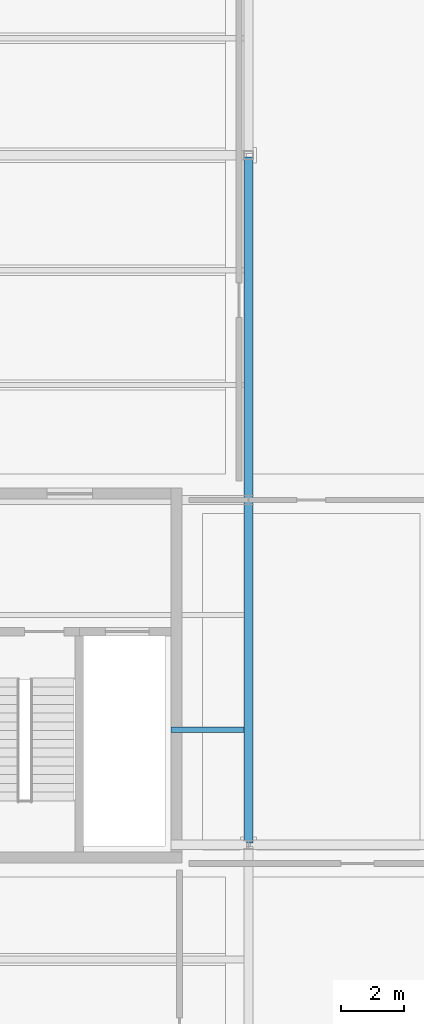
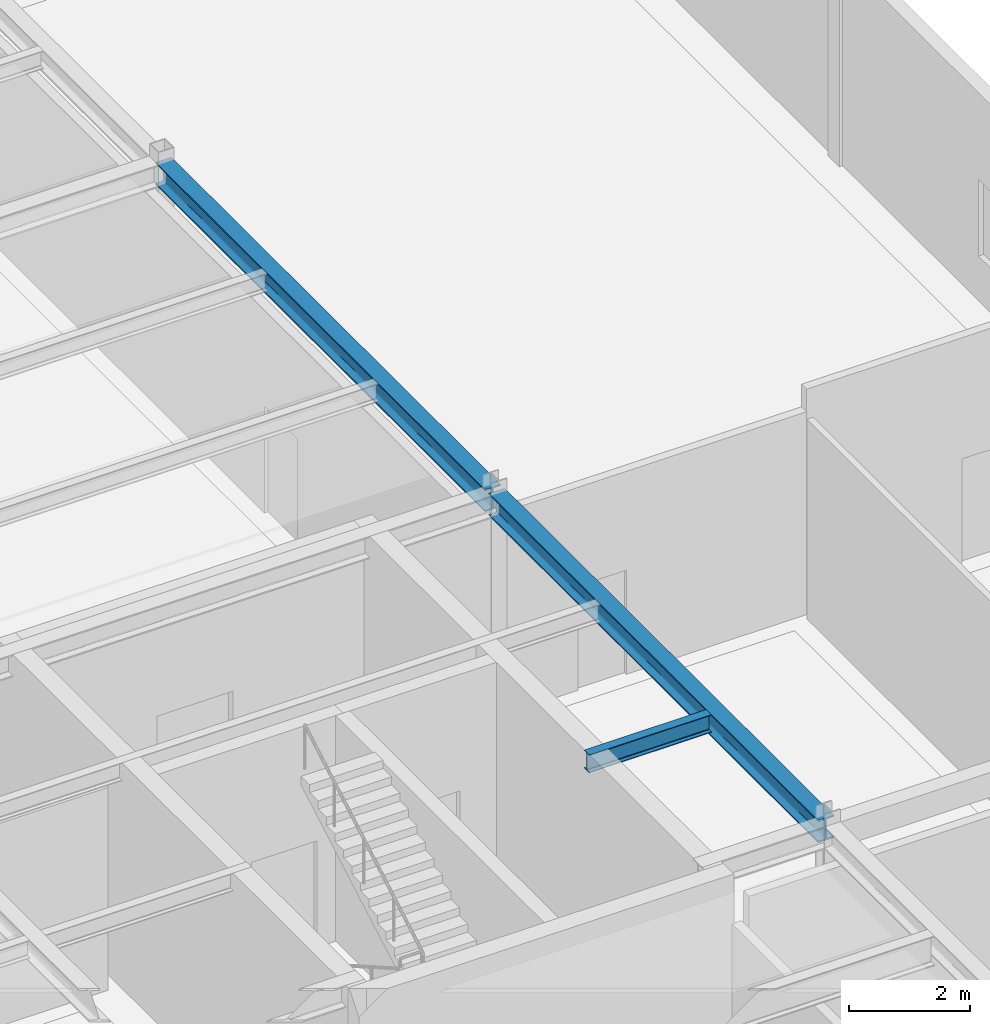
# One storey, part 56 of 108: 3 beams.
"""IFC4 building model written with IfcOpenShell, lengths in metres."""

from ifc_helpers import new_model, si_unit, direction, frame, origin, origin_2d, place, context, subcontext, project, spatial, i_section, extrude, material, material_profile, profile_set, type_object, element, save


model = new_model("IFC4")

# Units and contexts
model_context = context("Model", 3, precision=1e-05, world=origin(), true_north=direction((0.0, 1.0)))
body_context = subcontext(model_context, "Body", "Model", "MODEL_VIEW")
ifc_project = project(units=[si_unit("LENGTHUNIT", "METRE"), si_unit("AREAUNIT", "SQUARE_METRE"), si_unit("VOLUMEUNIT", "CUBIC_METRE"), si_unit("PLANEANGLEUNIT", "RADIAN"), si_unit("MASSUNIT", "GRAM", prefix="KILO")], contexts=[model_context])

# Site, building, storey
site_placement = place(None, origin())
site = spatial("IfcSite", under=ifc_project, at=site_placement, CompositionType="ELEMENT")
building_placement = place(site_placement, origin())
building = spatial("IfcBuilding", under=site, at=building_placement, Name="Tarnveldt Headland Concert Hall", CompositionType="ELEMENT")
storey_placement = place(building_placement, frame((0.0, 0.0, 9.60009765625)))
storey = spatial("IfcBuildingStorey", under=building, at=storey_placement, Name="L02", CompositionType="ELEMENT", Elevation=9.60009765625)

# Beams
ifc_material = material(Name="Steel S355", Category="steel")
ifc_material_profile_1 = material_profile(ifc_material, i_section(OverallWidth=0.300048828125, OverallDepth=0.449951171875, WebThickness=0.013916015625, FlangeThickness=0.02587890625, FilletRadius=0.027099609375, at=origin_2d()), Name="HEB450", Category="steel")
ifc_profile_set_1 = profile_set([ifc_material_profile_1], Name="Steel S355")
beam_type_1 = type_object("IfcBeamType", Name="SB-HEB450", PredefinedType="BEAM", material=ifc_profile_set_1)
for number, where, z_axis, x_axis, name in (
    (1, (44.5, 82.06005859375, 4.324951171875), (0.0, 1.0, 0.0), (-1.0, 0.0, 0.0), "Framing beam L02-1219"),
    (2, (44.5, 93.06005859375, 4.324951171875), (0.0, 1.0, 0.0), (-1.0, 0.0, 0.0), "Framing beam L02-1220"),
):
    element("IfcBeam", number, at=place(storey_placement, frame(where, z_axis=z_axis, x_axis=x_axis)), inside=storey, type_object=beam_type_1, Name=name, PredefinedType="BEAM", context=body_context, shape_type="SweptSolid", body=[
        extrude(i_section(OverallWidth=0.300048828125, OverallDepth=0.449951171875, WebThickness=0.013916015625, FlangeThickness=0.02587890625, FilletRadius=0.027099609375, at=origin_2d()), origin(), (0.0, 0.0, 1.0), 10.8798828125),
    ])
ifc_material_profile_2 = material_profile(ifc_material, i_section(OverallWidth=0.169921875, OverallDepth=0.360107421875, WebThickness=0.008056640625, FlangeThickness=0.0126953125, FilletRadius=0.01806640625, at=origin_2d()), Name="IPE360", Category="steel")
ifc_profile_set_2 = profile_set([ifc_material_profile_2], Name="Steel S355")
beam_type_2 = type_object("IfcBeamType", Name="SB-IPE360", PredefinedType="JOIST", material=ifc_profile_set_2)
beam_placement = place(storey_placement, frame((42.02001953125, 85.6669921875, 4.369873046875), z_axis=(1.0, 0.0, 0.0), x_axis=(0.0, 1.0, 0.0)))
element("IfcBeam", 3, at=beam_placement, inside=storey, type_object=beam_type_2, Name="Framing beam L02-1209", PredefinedType="JOIST", context=body_context, shape_type="SweptSolid", body=[
    extrude(i_section(OverallWidth=0.169921875, OverallDepth=0.360107421875, WebThickness=0.008056640625, FlangeThickness=0.0126953125, FilletRadius=0.01806640625, at=origin_2d()), origin(), (0.0, 0.0, 1.0), 2.330078125),
])

save(model, "model.ifc")
